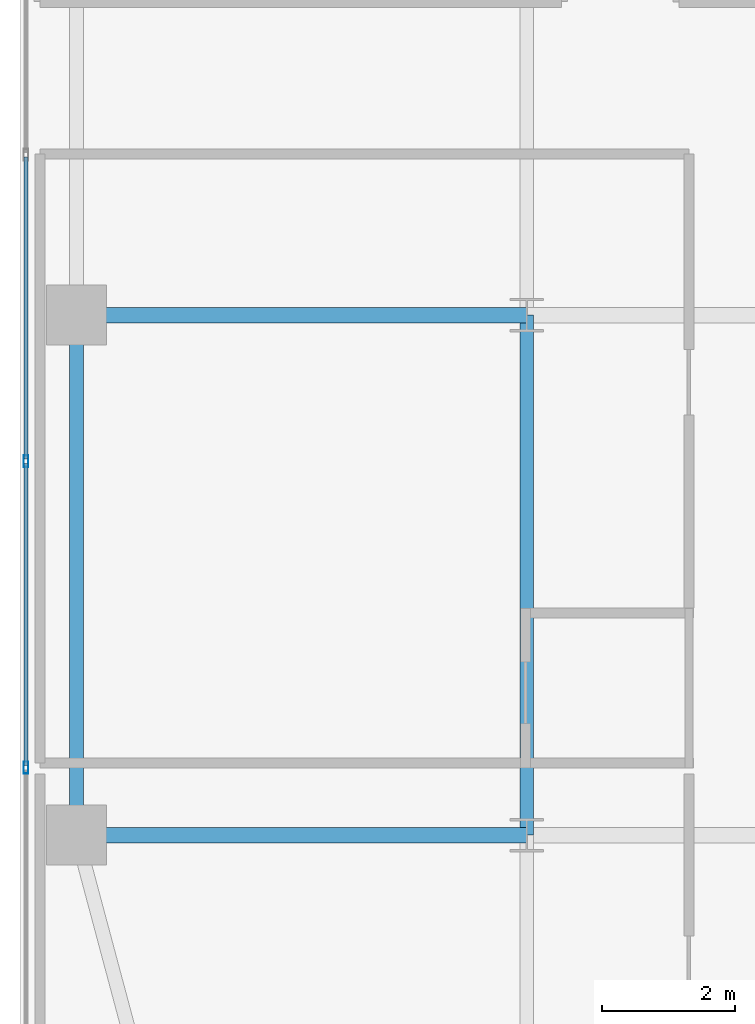
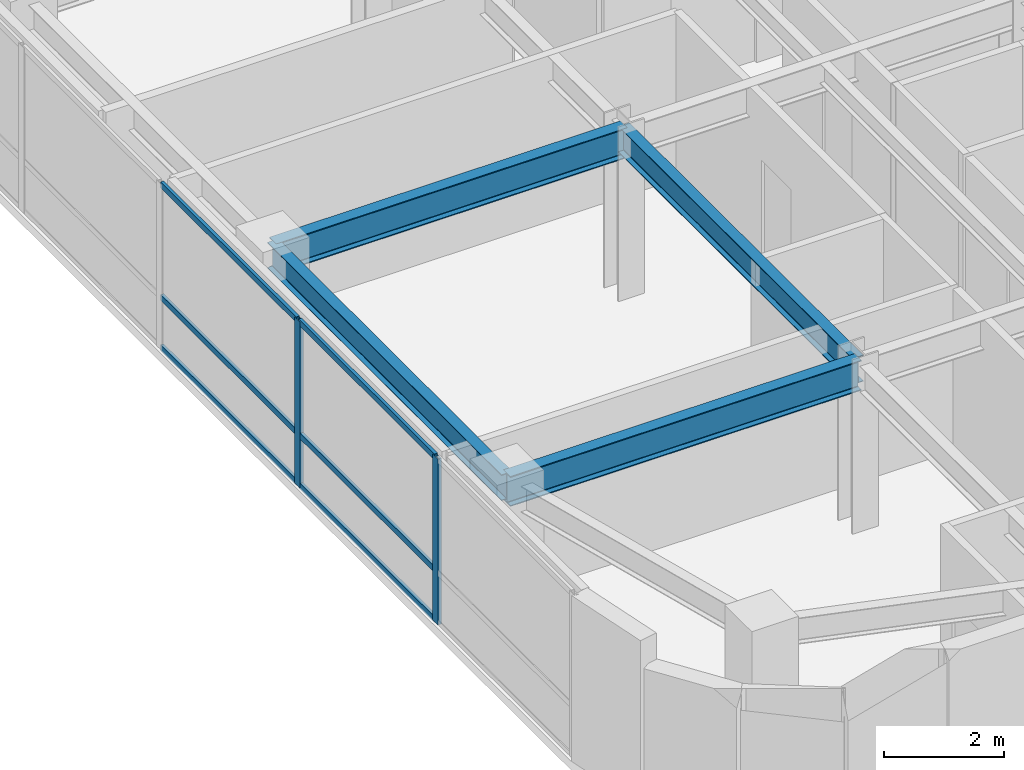
# One storey, part 4 of 30: 8 members, 4 beams, 1 element without a shape of its own.
"""IFC4 building model written with IfcOpenShell, lengths in metres."""

from ifc_helpers import new_model, si_unit, direction, frame, origin, origin_2d, place, context, subcontext, project, spatial, hollow_rectangle, i_section, extrude, source, transform, mapped, material, layer, layer_set, material_profile, profile_set, type_object, type_shapes, element, aggregate, save


model = new_model("IFC4")

# Units and contexts
model_context = context("Model", 3, precision=1e-05, world=origin(), true_north=direction((0.0, 1.0)))
body_context = subcontext(model_context, "Body", "Model", "MODEL_VIEW")
ifc_project = project(units=[si_unit("LENGTHUNIT", "METRE"), si_unit("AREAUNIT", "SQUARE_METRE"), si_unit("VOLUMEUNIT", "CUBIC_METRE"), si_unit("PLANEANGLEUNIT", "RADIAN"), si_unit("MASSUNIT", "GRAM", prefix="KILO")], contexts=[model_context])

# Site, building, storey
site_placement = place(None, origin())
site = spatial("IfcSite", under=ifc_project, at=site_placement, CompositionType="ELEMENT")
building_placement = place(site_placement, origin())
building = spatial("IfcBuilding", under=site, at=building_placement, Name="Tolvann Quenvar Hotel", CompositionType="ELEMENT")
storey_placement = place(building_placement, frame((0.0, 0.0, 100.89990234375)))
storey = spatial("IfcBuildingStorey", under=building, at=storey_placement, Name="L25", CompositionType="ELEMENT", Elevation=100.89990234375)

# Beams
ifc_material_1 = material(Name="Steel Grade 350", Category="steel")
ifc_material_profile_1 = material_profile(ifc_material_1, i_section(OverallWidth=0.22900390625, OverallDepth=0.612060546875, WebThickness=0.011962890625, FlangeThickness=0.01953125, FilletRadius=0.013916015625, at=origin_2d()), Name="610UB125")
ifc_profile_set_1 = profile_set([ifc_material_profile_1], Name="Steel Grade 350")
beam_type_1 = type_object("IfcBeamType", Name="BM_GIRD_610UB125", PredefinedType="BEAM", material=ifc_profile_set_1)
shared_shape_1 = source(origin(), body_context, "Body", "SweptSolid", [
    extrude(i_section(OverallWidth=0.22900390625, OverallDepth=0.612060546875, WebThickness=0.011962890625, FlangeThickness=0.01953125, FilletRadius=0.013916015625, at=origin_2d()), origin(), (0.0, 0.0, 1.0), 6.75),
])
type_shapes(beam_type_1, [shared_shape_1])
for number, where, z_axis, x_axis, name in (
    (1, (0.85009765625, 8.199951171875, 3.064208984375), (1.0, 0.0, 0.0), (0.0, 1.0, 0.0), "BM-L25-EW-3-B3-C3"),
    (2, (0.85009765625, 16.0, 3.064208984375), (1.0, 0.0, 0.0), (0.0, 1.0, 0.0), "BM-L25-EW-4-B4-C4"),
):
    element("IfcBeam", number, at=place(storey_placement, frame(where, z_axis=z_axis, x_axis=x_axis)), inside=storey, type_object=beam_type_1, Name=name, PredefinedType="BEAM", context=body_context, shape_type="MappedRepresentation", body=[
        mapped(shared_shape_1, transform((0.0, 0.0, 0.0), x_axis=(1.0, 0.0, 0.0), y_axis=(0.0, 1.0, 0.0), z_axis=(0.0, 0.0, 1.0), scale=1.0)),
    ])
ifc_material_profile_2 = material_profile(ifc_material_1, i_section(OverallWidth=0.208984375, OverallDepth=0.528076171875, WebThickness=0.009521484375, FlangeThickness=0.01318359375, FilletRadius=0.013916015625, at=origin_2d()), Name="530UB82")
ifc_profile_set_2 = profile_set([ifc_material_profile_2], Name="Steel Grade 350")
beam_type_2 = type_object("IfcBeamType", Name="BM_SPAND_530UB82", PredefinedType="SPANDREL", material=ifc_profile_set_2)
shared_shape_2 = source(origin(), body_context, "Body", "SweptSolid", [
    extrude(i_section(OverallWidth=0.208984375, OverallDepth=0.528076171875, WebThickness=0.009521484375, FlangeThickness=0.01318359375, FilletRadius=0.013916015625, at=origin_2d()), origin(), (0.0, 0.0, 1.0), 7.800048828125),
])
type_shapes(beam_type_2, [shared_shape_2])
beam_1_placement = place(storey_placement, frame((0.85009765625, 8.199951171875, 3.106201171875), z_axis=(0.0, 1.0, 0.0), x_axis=(-1.0, 0.0, 0.0)))
element("IfcBeam", 3, at=beam_1_placement, inside=storey, type_object=beam_type_2, Name="BM-L25-NS-B3-B4", PredefinedType="SPANDREL", context=body_context, shape_type="MappedRepresentation", body=[
    mapped(shared_shape_2, transform((0.0, 0.0, 0.0), x_axis=(1.0, 0.0, 0.0), y_axis=(0.0, 1.0, 0.0), z_axis=(0.0, 0.0, 1.0), scale=1.0)),
])
ifc_material_profile_3 = material_profile(ifc_material_1, i_section(OverallWidth=0.208984375, OverallDepth=0.532958984375, WebThickness=0.01025390625, FlangeThickness=0.015625, FilletRadius=0.013916015625, at=origin_2d()), Name="530UB92")
ifc_profile_set_3 = profile_set([ifc_material_profile_3], Name="Steel Grade 350")
beam_type_3 = type_object("IfcBeamType", Name="BM_GIRD_530UB92", PredefinedType="BEAM", material=ifc_profile_set_3)
shared_shape_3 = source(origin(), body_context, "Body", "SweptSolid", [
    extrude(i_section(OverallWidth=0.208984375, OverallDepth=0.532958984375, WebThickness=0.01025390625, FlangeThickness=0.015625, FilletRadius=0.013916015625, at=origin_2d()), origin(), (0.0, 0.0, 1.0), 7.800048828125),
])
type_shapes(beam_type_3, [shared_shape_3])
beam_2_placement = place(storey_placement, frame((7.60009765625, 8.199951171875, 3.103515625), z_axis=(0.0, 1.0, 0.0), x_axis=(-1.0, 0.0, 0.0)))
element("IfcBeam", 4, at=beam_2_placement, inside=storey, type_object=beam_type_3, Name="BM-L25-NS-C3-C4", PredefinedType="BEAM", context=body_context, shape_type="MappedRepresentation", body=[
    mapped(shared_shape_3, transform((0.0, 0.0, 0.0), x_axis=(1.0, 0.0, 0.0), y_axis=(0.0, 1.0, 0.0), z_axis=(0.0, 0.0, 1.0), scale=1.0)),
])

# Curtain wall, members
ifc_material_2 = material(Name="Thermally broken anodised architectural aluminium 6063-T6 and laminated low-E glass", Category="aluminium")
ifc_layer = layer(ifc_material_2, 0.179931640625)
ifc_layer_set = layer_set([ifc_layer], Name="Thermally broken anodised architectural aluminium 6063-T6 and laminated low-E glass")
curtain_wall_type = type_object("IfcCurtainWallType", Name="CW_SYS_BAND_04", PredefinedType="USERDEFINED", material=ifc_layer_set)
curtain_wall_placement = place(storey_placement, origin())
curtain_wall = element("IfcCurtainWall", 5, at=curtain_wall_placement, inside=storey, type_object=curtain_wall_type, Name="Curtain Wall CW-BAND-04 (CWR-L25-E23)", ObjectType="UNITISED CURTAIN WALL", PredefinedType="USERDEFINED")
ifc_material_3 = material(Name="Anodised architectural aluminium 6063-T6 framing", Category="aluminium")
ifc_material_profile_4 = material_profile(ifc_material_3, hollow_rectangle(XDim=0.070068359375, YDim=0.179931640625, WallThickness=0.00390625, at=origin_2d()), Name="180x70x4RHS")
ifc_profile_set_4 = profile_set([ifc_material_profile_4], Name="Anodised architectural aluminium 6063-T6 framing")
member_type_1 = type_object("IfcMemberType", Name="CW_MULL_180x70", PredefinedType="MULLION", material=ifc_profile_set_4)
shared_shape_4 = source(origin(), body_context, "Body", "SweptSolid", [
    extrude(hollow_rectangle(XDim=0.070068359375, YDim=0.179931640625, WallThickness=0.00390625, at=origin_2d()), origin(), (0.0, 0.0, 1.0), 3.3701171875),
])
type_shapes(member_type_1, [shared_shape_4])
member_1_placement = place(storey_placement, frame((0.090087890625, 13.80859375, 0.0), z_axis=(0.0, 0.0, 1.0), x_axis=(1.0, 0.0, 0.0)))
member_1 = element("IfcMember", 6, at=member_1_placement, type_object=member_type_1, Name="CW-BAND-04 mullion 7", PredefinedType="MULLION", context=body_context, shape_type="MappedRepresentation", body=[
    mapped(shared_shape_4, transform((0.0, 0.0, 0.0), x_axis=(1.0, 0.0, 0.0), y_axis=(0.0, 1.0, 0.0), z_axis=(0.0, 0.0, 1.0), scale=1.0)),
])
member_2_placement = place(storey_placement, frame((0.090087890625, 9.212890625, 0.0), z_axis=(0.0, 0.0, 1.0), x_axis=(1.0, 0.0, 0.0)))
member_2 = element("IfcMember", 7, at=member_2_placement, type_object=member_type_1, Name="CW-BAND-04 mullion 8", PredefinedType="MULLION", context=body_context, shape_type="MappedRepresentation", body=[
    mapped(shared_shape_4, transform((0.0, 0.0, 0.0), x_axis=(1.0, 0.0, 0.0), y_axis=(0.0, 1.0, 0.0), z_axis=(0.0, 0.0, 1.0), scale=1.0)),
])
ifc_material_profile_5 = material_profile(ifc_material_3, hollow_rectangle(XDim=0.06005859375, YDim=0.1201171875, WallThickness=0.00341796875, at=origin_2d()), Name="120x60x3.5RHS")
ifc_profile_set_5 = profile_set([ifc_material_profile_5], Name="Anodised architectural aluminium 6063-T6 framing")
member_type_2 = type_object("IfcMemberType", Name="CW_TRAN_120x60", PredefinedType="USERDEFINED", material=ifc_profile_set_5)
shared_shape_5 = source(origin(), body_context, "Body", "SweptSolid", [
    extrude(hollow_rectangle(XDim=0.06005859375, YDim=0.1201171875, WallThickness=0.00341796875, at=origin_2d()), origin(), (0.0, 0.0, 1.0), 4.52587890625),
])
type_shapes(member_type_2, [shared_shape_5])
member_3_placement = place(storey_placement, frame((0.090087890625, 18.369384765625, 0.030029296875), z_axis=(0.0, -1.0, 0.0), x_axis=(1.0, 0.0, 0.0)))
member_3 = element("IfcMember", 8, at=member_3_placement, type_object=member_type_2, Name="CW-BAND-04 transom 6.1", ObjectType="TRANSOM", PredefinedType="USERDEFINED", context=body_context, shape_type="MappedRepresentation", body=[
    mapped(shared_shape_5, transform((0.0, 0.0, 0.0), x_axis=(1.0, 0.0, 0.0), y_axis=(0.0, 1.0, 0.0), z_axis=(0.0, 0.0, 1.0), scale=1.0)),
])
member_4_placement = place(storey_placement, frame((0.090087890625, 18.369384765625, 1.050048828125), z_axis=(0.0, -1.0, 0.0), x_axis=(1.0, 0.0, 0.0)))
member_4 = element("IfcMember", 9, at=member_4_placement, type_object=member_type_2, Name="CW-BAND-04 transom 6.2", ObjectType="TRANSOM", PredefinedType="USERDEFINED", context=body_context, shape_type="MappedRepresentation", body=[
    mapped(shared_shape_5, transform((0.0, 0.0, 0.0), x_axis=(1.0, 0.0, 0.0), y_axis=(0.0, 1.0, 0.0), z_axis=(0.0, 0.0, 1.0), scale=1.0)),
])
member_5_placement = place(storey_placement, frame((0.090087890625, 18.369384765625, 3.340087890625), z_axis=(0.0, -1.0, 0.0), x_axis=(1.0, 0.0, 0.0)))
member_5 = element("IfcMember", 10, at=member_5_placement, type_object=member_type_2, Name="CW-BAND-04 transom 6.3", ObjectType="TRANSOM", PredefinedType="USERDEFINED", context=body_context, shape_type="MappedRepresentation", body=[
    mapped(shared_shape_5, transform((0.0, 0.0, 0.0), x_axis=(1.0, 0.0, 0.0), y_axis=(0.0, 1.0, 0.0), z_axis=(0.0, 0.0, 1.0), scale=1.0)),
])
member_6_placement = place(storey_placement, frame((0.090087890625, 13.773681640625, 0.030029296875), z_axis=(0.0, -1.0, 0.0), x_axis=(1.0, 0.0, 0.0)))
member_6 = element("IfcMember", 11, at=member_6_placement, type_object=member_type_2, Name="CW-BAND-04 transom 7.1", ObjectType="TRANSOM", PredefinedType="USERDEFINED", context=body_context, shape_type="MappedRepresentation", body=[
    mapped(shared_shape_5, transform((0.0, 0.0, 0.0), x_axis=(1.0, 0.0, 0.0), y_axis=(0.0, 1.0, 0.0), z_axis=(0.0, 0.0, 1.0), scale=1.0)),
])
member_7_placement = place(storey_placement, frame((0.090087890625, 13.773681640625, 1.050048828125), z_axis=(0.0, -1.0, 0.0), x_axis=(1.0, 0.0, 0.0)))
member_7 = element("IfcMember", 12, at=member_7_placement, type_object=member_type_2, Name="CW-BAND-04 transom 7.2", ObjectType="TRANSOM", PredefinedType="USERDEFINED", context=body_context, shape_type="MappedRepresentation", body=[
    mapped(shared_shape_5, transform((0.0, 0.0, 0.0), x_axis=(1.0, 0.0, 0.0), y_axis=(0.0, 1.0, 0.0), z_axis=(0.0, 0.0, 1.0), scale=1.0)),
])
member_8_placement = place(storey_placement, frame((0.090087890625, 13.773681640625, 3.340087890625), z_axis=(0.0, -1.0, 0.0), x_axis=(1.0, 0.0, 0.0)))
member_8 = element("IfcMember", 13, at=member_8_placement, type_object=member_type_2, Name="CW-BAND-04 transom 7.3", ObjectType="TRANSOM", PredefinedType="USERDEFINED", context=body_context, shape_type="MappedRepresentation", body=[
    mapped(shared_shape_5, transform((0.0, 0.0, 0.0), x_axis=(1.0, 0.0, 0.0), y_axis=(0.0, 1.0, 0.0), z_axis=(0.0, 0.0, 1.0), scale=1.0)),
])
aggregate(curtain_wall, [member_1, member_2, member_3, member_4, member_5, member_6, member_7, member_8])

save(model, "model.ifc")
